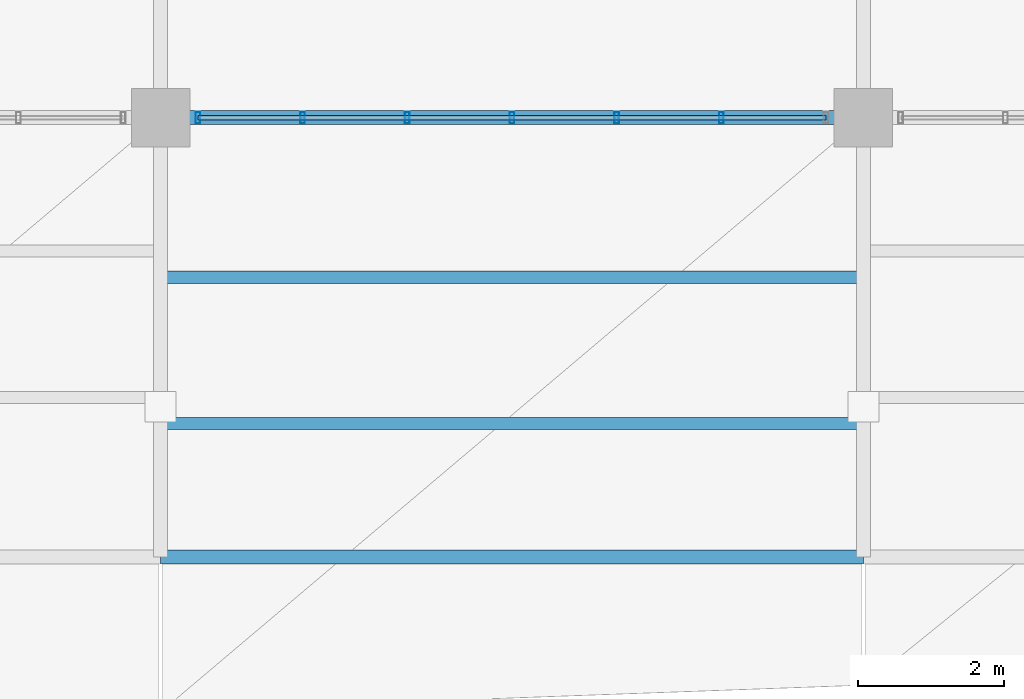
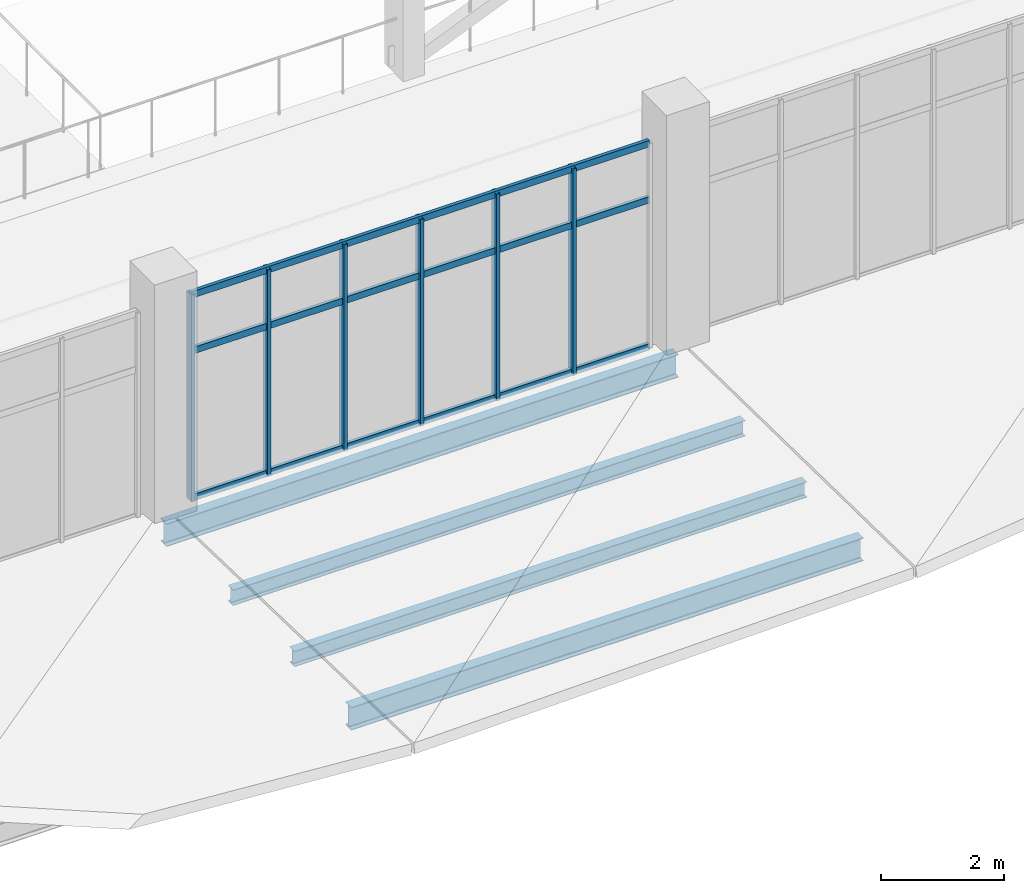
# One storey, part 47 of 157: 9 members, 4 beams, 1 element without a shape of its own.
"""IFC4 building model written with IfcOpenShell, lengths in metres."""

import ifcopenshell
import ifcopenshell.guid

model = None  # the IFC model being written
_history = None  # IfcOwnerHistory: only IFC2X3 demands one
_inside = {}  # id of a spatial element -> (the spatial element, [elements in it])
_under = {}  # id of a project, library or spatial element -> (it, [spatial elements below it])
_declared = {}  # id of a project -> (the project, [libraries it declares])
_typed = {}  # id of a type object -> (the type object, [elements of that type])
_made_of = {}  # id of a material, layer set ... -> (it, [elements and type objects made of it])


def new_model(schema):
    """Start an empty IFC model of exactly this schema.

    Asked for "IFC4X3", IfcOpenShell would pick the latest addendum, in which some entities
    have other attributes; the version numbers below select the first issue.
    IFC2X3 requires an IfcOwnerHistory on every rooted entity: one is made here for all.
    """
    global model, _history
    if schema == "IFC4X3":
        model = ifcopenshell.file(schema_version=(4, 3, 0, 0))
    else:
        model = ifcopenshell.file(schema=schema)
    _inside.clear()
    _under.clear()
    _declared.clear()
    _typed.clear()
    _made_of.clear()
    _history = None
    if model.schema == "IFC2X3":
        org = make("IfcOrganization", Name="unknown")
        user = make(
            "IfcPersonAndOrganization",
            ThePerson=make("IfcPerson", FamilyName="unknown"),
            TheOrganization=org,
        )
        app = make(
            "IfcApplication",
            ApplicationDeveloper=org,
            Version="unknown",
            ApplicationFullName="unknown",
            ApplicationIdentifier="unknown",
        )
        _history = make(
            "IfcOwnerHistory",
            OwningUser=user,
            OwningApplication=app,
            ChangeAction="ADDED",
            CreationDate=0,
        )
    return model


def make(cls, **values):
    """One entity of the class cls with the attributes given. An attribute that is None is left unset."""
    return model.create_entity(
        cls, **{name: value for name, value in values.items() if value is not None}
    )


def rooted(cls, **values):
    """An entity with a GlobalId (a new one), such as an element, a storey or a relation."""
    return make(cls, GlobalId=ifcopenshell.guid.new(), OwnerHistory=_history, **values)


def si_unit(unit_type, name, prefix=None):
    """IfcSIUnit, for example si_unit("LENGTHUNIT", "METRE", prefix="MILLI")."""
    return make("IfcSIUnit", UnitType=unit_type, Prefix=prefix, Name=name)


def assignment(units):
    """IfcUnitAssignment: the units of a project."""
    return None if units is None else make("IfcUnitAssignment", Units=units)


def point(xyz):
    """IfcCartesianPoint."""
    return None if xyz is None else make("IfcCartesianPoint", Coordinates=xyz)


def direction(xyz):
    """IfcDirection."""
    return None if xyz is None else make("IfcDirection", DirectionRatios=xyz)


def frame(location, z_axis=None, x_axis=None):
    """IfcAxis2Placement3D, a coordinate frame: its origin and axes. An axis left out is left unset."""
    return make(
        "IfcAxis2Placement3D",
        Location=point(location),
        Axis=direction(z_axis),
        RefDirection=direction(x_axis),
    )


def frame_2d(location, x_axis=None):
    """IfcAxis2Placement2D, a coordinate frame in the plane: its origin and x axis."""
    return make(
        "IfcAxis2Placement2D", Location=point(location), RefDirection=direction(x_axis)
    )


def origin():
    """The frame at (0, 0, 0) with its axes left unset."""
    return frame((0.0, 0.0, 0.0))


def origin_2d():
    """The frame at (0, 0) in the plane with its x axis left unset."""
    return frame_2d((0.0, 0.0))


def place(relative_to, where):
    """IfcLocalPlacement: puts the frame where relative to a parent placement (None: the world)."""
    return make(
        "IfcLocalPlacement", PlacementRelTo=relative_to, RelativePlacement=where
    )


def context(
    kind, dimensions, precision=None, world=None, true_north=None, identifier=None
):
    """IfcGeometricRepresentationContext, for example the 3D "Model" context."""
    return make(
        "IfcGeometricRepresentationContext",
        ContextIdentifier=identifier,
        ContextType=kind,
        CoordinateSpaceDimension=dimensions,
        Precision=precision,
        WorldCoordinateSystem=world,
        TrueNorth=true_north,
    )


def subcontext(parent, identifier, kind, view, scale=None):
    """IfcGeometricRepresentationSubContext, for example "Body" below "Model"."""
    return make(
        "IfcGeometricRepresentationSubContext",
        ContextIdentifier=identifier,
        ContextType=kind,
        ParentContext=parent,
        TargetScale=scale,
        TargetView=view,
    )


def project(units=None, contexts=None):
    """IfcProject with its units and contexts."""
    return rooted(
        "IfcProject",
        Name="project",
        RepresentationContexts=contexts,
        UnitsInContext=assignment(units),
    )


def spatial(cls, under=None, at=None, **own):
    """A site, building, storey or space (cls), placed at a placement, below another one or the project."""
    s = rooted(cls, ObjectPlacement=at, **own)
    if under is not None:
        _under.setdefault(under.id(), (under, []))[1].append(s)
    return s


def profile(cls, at=None, kind="AREA", **sizes):
    """A parametric profile (cls). Its sizes go by their IFC names, for example OverallWidth=200.0."""
    return make(cls, ProfileType=kind, Position=at, **sizes)


def hollow_rectangle(**sizes):
    """IfcRectangleHollowProfileDef."""
    return profile("IfcRectangleHollowProfileDef", **sizes)


def i_section(**sizes):
    """IfcIShapeProfileDef."""
    return profile("IfcIShapeProfileDef", **sizes)


def extrude(swept, where, along, depth):
    """IfcExtrudedAreaSolid: the profile swept, set in the frame where, extruded along a direction by depth."""
    return make(
        "IfcExtrudedAreaSolid",
        SweptArea=swept,
        Position=where,
        ExtrudedDirection=direction(along),
        Depth=depth,
    )


def shape(context_of_items, identifier, shape_type, items):
    """IfcShapeRepresentation: the items that make up one representation, for example the "Body"."""
    return make(
        "IfcShapeRepresentation",
        ContextOfItems=context_of_items,
        RepresentationIdentifier=identifier,
        RepresentationType=shape_type,
        Items=items,
    )


def material(Name=None, Category=None):
    """IfcMaterial."""
    return make("IfcMaterial", Name=Name, Category=Category)


def layer(
    of_material, thickness, ventilated=None, Name=None, Category=None, Priority=None
):
    """IfcMaterialLayer: one layer of a wall or slab, of a material (None: an air gap)."""
    return make(
        "IfcMaterialLayer",
        Material=of_material,
        LayerThickness=thickness,
        IsVentilated=ventilated,
        Name=Name,
        Category=Category,
        Priority=Priority,
    )


def layer_set(layers, Name=None):
    """IfcMaterialLayerSet."""
    return make("IfcMaterialLayerSet", MaterialLayers=layers, LayerSetName=Name)


def material_profile(
    of_material, cross_section, Name=None, Category=None, Priority=None
):
    """IfcMaterialProfile: a cross section and its material."""
    return make(
        "IfcMaterialProfile",
        Name=Name,
        Material=of_material,
        Profile=cross_section,
        Priority=Priority,
        Category=Category,
    )


def profile_set(profiles, Name=None, composite=None):
    """IfcMaterialProfileSet."""
    return make(
        "IfcMaterialProfileSet",
        Name=Name,
        MaterialProfiles=profiles,
        CompositeProfile=composite,
    )


def made_of(thing, what):
    """Note that an element or type object is made of a material, layer set ...; save() writes the relation."""
    if what is not None:
        _made_of.setdefault(what.id(), (what, []))[1].append(thing)
    return thing


def type_object(cls, material=None, **own):
    """A type object (cls), such as IfcWallType, which elements share."""
    return made_of(rooted(cls, **own), material)


def element(
    cls,
    number,
    at=None,
    inside=None,
    cuts=None,
    type_object=None,
    material=None,
    context=None,
    identifier="Body",
    shape_type=None,
    held_by="IfcProductDefinitionShape",
    body=None,
    shapes=None,
    **own,
):
    """One element of the class cls, such as IfcWall. Its Tag is "e" and its number.

    at: its placement. inside: the storey or other place that contains it. cuts: it is an
    opening in that element (IfcRelVoidsElement). A single representation is given by context,
    identifier, shape_type and body (its items); several are given by shapes. held_by: the class
    of the entity that holds the representations. save() writes the other relations.
    """
    e = rooted(cls, Tag="e%d" % number, ObjectPlacement=at, **own)
    if body is not None:
        shapes = [shape(context, identifier, shape_type, body)]
    if shapes is not None:
        e.Representation = make(held_by, Representations=shapes)
    if inside is not None:
        _inside.setdefault(inside.id(), (inside, []))[1].append(e)
    if cuts is not None:
        rooted(
            "IfcRelVoidsElement", RelatingBuildingElement=cuts, RelatedOpeningElement=e
        )
    if type_object is not None:
        _typed.setdefault(type_object.id(), (type_object, []))[1].append(e)
    return made_of(e, material)


def aggregate(whole, parts):
    """IfcRelAggregates: a whole, such as a stair, and the parts it consists of."""
    return rooted("IfcRelAggregates", RelatingObject=whole, RelatedObjects=parts)


def save(model, path):
    """Write the relations noted so far, then the file.

    IfcRelAggregates (storeys below a building ...), IfcRelContainedInSpatialStructure (elements
    in a storey), IfcRelDefinesByType, IfcRelAssociatesMaterial and IfcRelDeclares: one each for
    every whole, place, type object, material and project.
    """
    for whole, parts in _under.values():
        aggregate(whole, parts)
    for where, things in _inside.values():
        rooted(
            "IfcRelContainedInSpatialStructure",
            RelatedElements=things,
            RelatingStructure=where,
        )
    for kind, things in _typed.values():
        rooted("IfcRelDefinesByType", RelatedObjects=things, RelatingType=kind)
    for what, things in _made_of.values():
        rooted("IfcRelAssociatesMaterial", RelatedObjects=things, RelatingMaterial=what)
    for by, libraries in _declared.values():
        rooted("IfcRelDeclares", RelatingContext=by, RelatedDefinitions=libraries)
    model.write(path)


model = new_model("IFC4")

# Units and contexts
model_context = context("Model", 3, precision=1e-05, world=origin(), true_north=direction((0.0, 1.0)))
body_context = subcontext(model_context, "Body", "Model", "MODEL_VIEW")
ifc_project = project(units=[si_unit("LENGTHUNIT", "METRE"), si_unit("AREAUNIT", "SQUARE_METRE"), si_unit("VOLUMEUNIT", "CUBIC_METRE"), si_unit("PLANEANGLEUNIT", "RADIAN"), si_unit("MASSUNIT", "GRAM", prefix="KILO")], contexts=[model_context])

# Site, building, storey
site_placement = place(None, origin())
site = spatial("IfcSite", under=ifc_project, at=site_placement, CompositionType="ELEMENT")
building_placement = place(site_placement, origin())
building = spatial("IfcBuilding", under=site, at=building_placement, Name="Chalmorin Arch Market", CompositionType="ELEMENT")
storey_placement = place(building_placement, frame((0.0, 0.0, 4.800048828125)))
storey = spatial("IfcBuildingStorey", under=building, at=storey_placement, Name="L01", CompositionType="ELEMENT", Elevation=4.800048828125)

# Curtain wall, members
ifc_material_1 = material(Name="Aluminium 6063-T6", Category="aluminium")
ifc_layer = layer(ifc_material_1, 0.159912109375)
ifc_layer_set = layer_set([ifc_layer], Name="Aluminium 6063-T6")
curtain_wall_type = type_object("IfcCurtainWallType", Name="MarketClerestoryCurtainWall-CW1-8580x4100", PredefinedType="NOTDEFINED", material=ifc_layer_set)
curtain_wall_placement = place(storey_placement, origin())
curtain_wall = element("IfcCurtainWall", 1, at=curtain_wall_placement, inside=storey, type_object=curtain_wall_type, Name="CW-01-007", PredefinedType="NOTDEFINED")
ifc_material_profile_1 = material_profile(ifc_material_1, hollow_rectangle(XDim=0.06494140625, YDim=0.159912109375, WallThickness=0.00390625, at=origin_2d()), Name="ALU65X160X4")
ifc_profile_set_1 = profile_set([ifc_material_profile_1], Name="Aluminium 6063-T6")
member_type_1 = type_object("IfcMemberType", Name="CurtainWallMullion-65x160", PredefinedType="MULLION", material=ifc_profile_set_1)
member_1_placement = place(storey_placement, frame((67.7099609375, 6.0, 0.0), z_axis=(0.0, 0.0, 1.0), x_axis=(1.0, 0.0, 0.0)))
member_1 = element("IfcMember", 2, at=member_1_placement, type_object=member_type_1, Name="ML-007-01", PredefinedType="MULLION", context=body_context, shape_type="SweptSolid", body=[
    extrude(hollow_rectangle(XDim=0.06494140625, YDim=0.159912109375, WallThickness=0.00390625, at=origin_2d()), origin(), (0.0, 0.0, 1.0), 4.095947265625),
])
member_2_placement = place(storey_placement, frame((69.139892578125, 6.0, 0.0), z_axis=(0.0, 0.0, 1.0), x_axis=(1.0, 0.0, 0.0)))
member_2 = element("IfcMember", 3, at=member_2_placement, type_object=member_type_1, Name="ML-007-02", PredefinedType="MULLION", context=body_context, shape_type="SweptSolid", body=[
    extrude(hollow_rectangle(XDim=0.06494140625, YDim=0.159912109375, WallThickness=0.00390625, at=origin_2d()), origin(), (0.0, 0.0, 1.0), 4.095947265625),
])
member_3_placement = place(storey_placement, frame((70.570068359375, 6.0, 0.0), z_axis=(0.0, 0.0, 1.0), x_axis=(1.0, 0.0, 0.0)))
member_3 = element("IfcMember", 4, at=member_3_placement, type_object=member_type_1, Name="ML-007-03", PredefinedType="MULLION", context=body_context, shape_type="SweptSolid", body=[
    extrude(hollow_rectangle(XDim=0.06494140625, YDim=0.159912109375, WallThickness=0.00390625, at=origin_2d()), origin(), (0.0, 0.0, 1.0), 4.095947265625),
])
member_4_placement = place(storey_placement, frame((72.0, 6.0, 0.0), z_axis=(0.0, 0.0, 1.0), x_axis=(1.0, 0.0, 0.0)))
member_4 = element("IfcMember", 5, at=member_4_placement, type_object=member_type_1, Name="ML-007-04", PredefinedType="MULLION", context=body_context, shape_type="SweptSolid", body=[
    extrude(hollow_rectangle(XDim=0.06494140625, YDim=0.159912109375, WallThickness=0.00390625, at=origin_2d()), origin(), (0.0, 0.0, 1.0), 4.095947265625),
])
member_5_placement = place(storey_placement, frame((73.429931640625, 6.0, 0.0), z_axis=(0.0, 0.0, 1.0), x_axis=(1.0, 0.0, 0.0)))
member_5 = element("IfcMember", 6, at=member_5_placement, type_object=member_type_1, Name="ML-007-05", PredefinedType="MULLION", context=body_context, shape_type="SweptSolid", body=[
    extrude(hollow_rectangle(XDim=0.06494140625, YDim=0.159912109375, WallThickness=0.00390625, at=origin_2d()), origin(), (0.0, 0.0, 1.0), 4.095947265625),
])
member_6_placement = place(storey_placement, frame((74.860107421875, 6.0, 0.0), z_axis=(0.0, 0.0, 1.0), x_axis=(1.0, 0.0, 0.0)))
member_6 = element("IfcMember", 7, at=member_6_placement, type_object=member_type_1, Name="ML-007-06", PredefinedType="MULLION", context=body_context, shape_type="SweptSolid", body=[
    extrude(hollow_rectangle(XDim=0.06494140625, YDim=0.159912109375, WallThickness=0.00390625, at=origin_2d()), origin(), (0.0, 0.0, 1.0), 4.095947265625),
])
ifc_material_profile_2 = material_profile(ifc_material_1, hollow_rectangle(XDim=0.06494140625, YDim=0.1298828125, WallThickness=0.00390625, at=origin_2d()), Name="ALU65X130X4")
ifc_profile_set_2 = profile_set([ifc_material_profile_2], Name="Aluminium 6063-T6")
member_type_2 = type_object("IfcMemberType", Name="CurtainWallTransom-65x130", PredefinedType="USERDEFINED", material=ifc_profile_set_2)
member_7_placement = place(storey_placement, frame((67.7099609375, 6.0, 0.034912109375), z_axis=(1.0, 0.0, 0.0), x_axis=(0.0, 1.0, 0.0)))
member_7 = element("IfcMember", 8, at=member_7_placement, type_object=member_type_2, Name="TR-007-01", ObjectType="TRANSOM", PredefinedType="USERDEFINED", context=body_context, shape_type="SweptSolid", body=[
    extrude(hollow_rectangle(XDim=0.06494140625, YDim=0.1298828125, WallThickness=0.00390625, at=origin_2d()), origin(), (0.0, 0.0, 1.0), 8.580078125),
])
member_8_placement = place(storey_placement, frame((67.7099609375, 6.0, 2.948974609375), z_axis=(1.0, 0.0, 0.0), x_axis=(0.0, 1.0, 0.0)))
member_8 = element("IfcMember", 9, at=member_8_placement, type_object=member_type_2, Name="TR-007-02", ObjectType="TRANSOM", PredefinedType="USERDEFINED", context=body_context, shape_type="SweptSolid", body=[
    extrude(hollow_rectangle(XDim=0.06494140625, YDim=0.1298828125, WallThickness=0.00390625, at=origin_2d()), origin(), (0.0, 0.0, 1.0), 8.580078125),
])
member_9_placement = place(storey_placement, frame((67.7099609375, 6.0, 4.06103515625), z_axis=(1.0, 0.0, 0.0), x_axis=(0.0, 1.0, 0.0)))
member_9 = element("IfcMember", 10, at=member_9_placement, type_object=member_type_2, Name="TR-007-03", ObjectType="TRANSOM", PredefinedType="USERDEFINED", context=body_context, shape_type="SweptSolid", body=[
    extrude(hollow_rectangle(XDim=0.06494140625, YDim=0.1298828125, WallThickness=0.00390625, at=origin_2d()), origin(), (0.0, 0.0, 1.0), 8.580078125),
])
aggregate(curtain_wall, [member_1, member_2, member_3, member_4, member_5, member_6, member_7, member_8, member_9])

# Beams
ifc_material_2 = material(Name="Steel A992 Grade 50", Category="steel")
ifc_material_profile_3 = material_profile(ifc_material_2, i_section(OverallWidth=0.19091796875, OverallDepth=0.45703125, WebThickness=0.009033203125, FlangeThickness=0.014404296875, FilletRadius=0.02001953125, at=origin_2d()), Name="W18X50")
ifc_profile_set_3 = profile_set([ifc_material_profile_3], Name="Steel A992 Grade 50")
beam_type_1 = type_object("IfcBeamType", Name="PerimeterSpandrelBeam-W18X50", PredefinedType="SPANDREL", material=ifc_profile_set_3)
for number, where, z_axis, x_axis, name in (
    (11, (67.199951171875, 6.0, -0.48046875), (1.0, 0.0, 0.0), (0.0, 1.0, 0.0), "SP-W18-0607"),
    (12, (67.199951171875, 0.0, -0.48046875), (1.0, 0.0, 0.0), (0.0, 1.0, 0.0), "SP-W18-1040"),
):
    element("IfcBeam", number, at=place(storey_placement, frame(where, z_axis=z_axis, x_axis=x_axis)), inside=storey, type_object=beam_type_1, Name=name, PredefinedType="SPANDREL", context=body_context, shape_type="SweptSolid", body=[
        extrude(i_section(OverallWidth=0.19091796875, OverallDepth=0.45703125, WebThickness=0.009033203125, FlangeThickness=0.014404296875, FilletRadius=0.02001953125, at=origin_2d()), origin(), (0.0, 0.0, 1.0), 9.60009765625),
    ])
ifc_material_profile_4 = material_profile(ifc_material_2, i_section(OverallWidth=0.1650390625, OverallDepth=0.31005859375, WebThickness=0.005859375, FlangeThickness=0.009765625, FilletRadius=0.014892578125, at=origin_2d()), Name="W12X26")
ifc_profile_set_4 = profile_set([ifc_material_profile_4], Name="Steel A992 Grade 50")
beam_type_2 = type_object("IfcBeamType", Name="SecondaryRoofJoist-W12X26", PredefinedType="JOIST", material=ifc_profile_set_4)
for number, where, z_axis, x_axis, name in (
    (13, (67.199951171875, 1.820068359375, -0.406982421875), (1.0, 0.0, 0.0), (0.0, 1.0, 0.0), "BJ-W12-1066"),
    (14, (67.199951171875, 3.820068359375, -0.406982421875), (1.0, 0.0, 0.0), (0.0, 1.0, 0.0), "BJ-W12-1067"),
):
    element("IfcBeam", number, at=place(storey_placement, frame(where, z_axis=z_axis, x_axis=x_axis)), inside=storey, type_object=beam_type_2, Name=name, PredefinedType="JOIST", context=body_context, shape_type="SweptSolid", body=[
        extrude(i_section(OverallWidth=0.1650390625, OverallDepth=0.31005859375, WebThickness=0.005859375, FlangeThickness=0.009765625, FilletRadius=0.014892578125, at=origin_2d()), origin(), (0.0, 0.0, 1.0), 9.60009765625),
    ])

save(model, "model.ifc")
